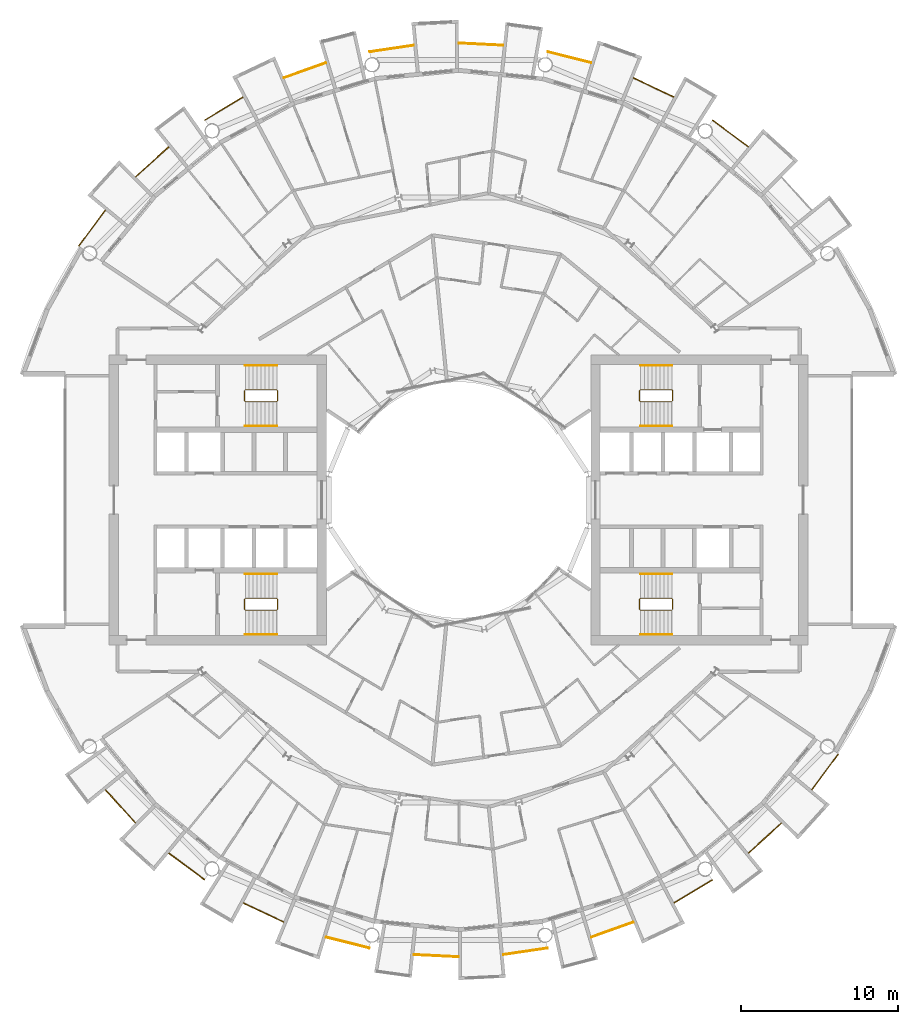
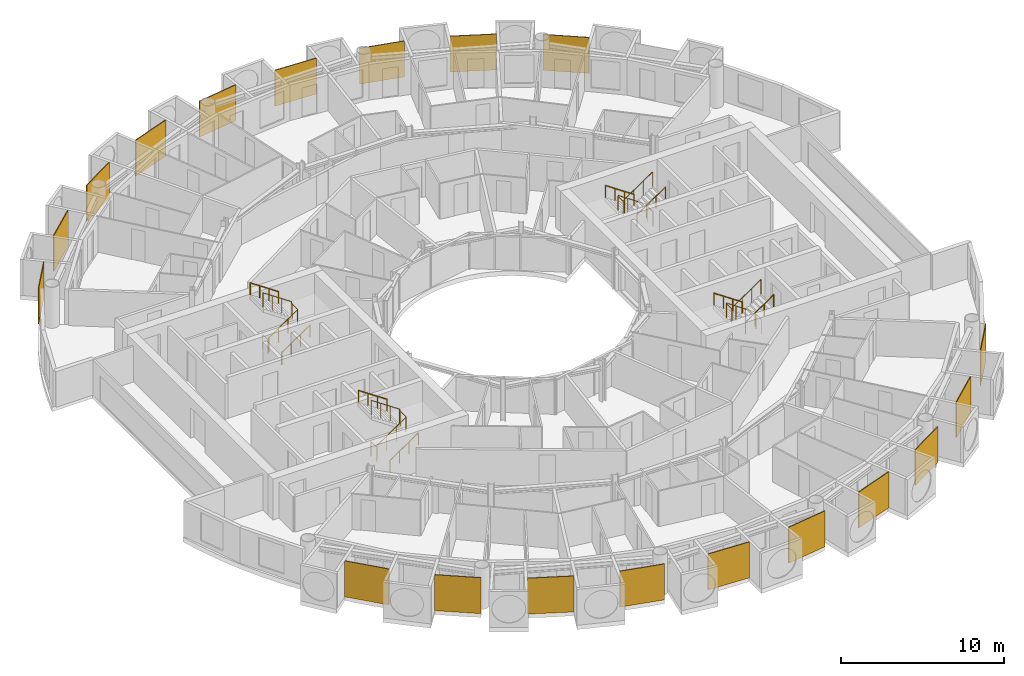
# One storey, part 26 of 27: 31 railings.
"""IFC4 building model written with IfcOpenShell, lengths in metres."""

from ifc_helpers import new_model, si_unit, direction, frame, origin, origin_2d, place, context, subcontext, project, spatial, polyline, circle, outline, extrude, material, layer, layer_set, type_object, element, save


model = new_model("IFC4")

# Units and contexts
model_context = context("Model", 3, precision=1e-05, world=origin(), true_north=direction((0.0, 1.0)))
body_context = subcontext(model_context, "Body", "Model", "MODEL_VIEW")
ifc_project = project(units=[si_unit("LENGTHUNIT", "METRE"), si_unit("AREAUNIT", "SQUARE_METRE"), si_unit("VOLUMEUNIT", "CUBIC_METRE"), si_unit("PLANEANGLEUNIT", "RADIAN"), si_unit("MASSUNIT", "GRAM", prefix="KILO")], contexts=[model_context])

# Site, building, storey
site_placement = place(None, origin())
site = spatial("IfcSite", under=ifc_project, at=site_placement, CompositionType="ELEMENT")
building_placement = place(site_placement, origin())
building = spatial("IfcBuilding", under=site, at=building_placement, Name="Maasbend Ring Residences", CompositionType="ELEMENT")
storey_placement = place(building_placement, frame((0.0, 0.0, 136.050048828125)))
storey = spatial("IfcBuildingStorey", under=building, at=storey_placement, Name="L39", CompositionType="ELEMENT", Elevation=136.050048828125)

# Railings
ifc_material_1 = material(Name="Pale anodised perforated aluminium", Category="aluminium")
ifc_layer = layer(ifc_material_1, 0.06005859375)
ifc_layer_set = layer_set([ifc_layer], Name="SCREEN-P")
railing_type_1 = type_object("IfcRailingType", Name="SCREEN-P", PredefinedType="GUARDRAIL", material=ifc_layer_set)
railing_1_placement = place(storey_placement, frame((0.0, 0.0, -0.030029296875)))
element("IfcRailing", 1, at=railing_1_placement, inside=storey, type_object=railing_type_1, Name="Perforated screen guard 2", PredefinedType="GUARDRAIL", context=body_context, shape_type="SweptSolid", body=[
    extrude(outline(polyline([(18.39697265625, 22.4169921875), (16.112060546875, 24.113037109375), (16.14697265625, 24.160888671875), (18.43310546875, 22.465087890625), (18.39697265625, 22.4169921875)])), origin(), (0.0, 0.0, 1.0), 2.679931640625),
])
railing_2_placement = place(storey_placement, frame((0.0, 0.0, -0.030029296875)))
element("IfcRailing", 2, at=railing_2_placement, inside=storey, type_object=railing_type_1, Name="Perforated screen guard 3", PredefinedType="GUARDRAIL", context=body_context, shape_type="SweptSolid", body=[
    extrude(outline(polyline([(13.6708984375, 25.575927734375), (11.097900390625, 26.79296875), (11.123046875, 26.846923828125), (13.696044921875, 25.6298828125), (13.6708984375, 25.575927734375)])), origin(), (0.0, 0.0, 1.0), 2.679931640625),
])
railing_3_placement = place(storey_placement, frame((0.0, 0.0, -0.030029296875)))
element("IfcRailing", 3, at=railing_3_placement, inside=storey, type_object=railing_type_1, Name="Perforated screen guard 4", PredefinedType="GUARDRAIL", context=body_context, shape_type="SweptSolid", body=[
    extrude(outline(polyline([(8.41796875, 27.7509765625), (5.657958984375, 28.443115234375), (5.672119140625, 28.5009765625), (8.43310546875, 27.80908203125), (8.41796875, 27.7509765625)])), origin(), (0.0, 0.0, 1.0), 2.679931640625),
])
railing_4_placement = place(storey_placement, frame((0.0, 0.0, -0.030029296875)))
element("IfcRailing", 4, at=railing_4_placement, inside=storey, type_object=railing_type_1, Name="Perforated screen guard 5", PredefinedType="GUARDRAIL", context=body_context, shape_type="SweptSolid", body=[
    extrude(outline(polyline([(2.842041015625, 28.860107421875), (0.0, 29.0), (0.0029296875, 29.06005859375), (2.844970703125, 28.919921875), (2.842041015625, 28.860107421875)])), origin(), (0.0, 0.0, 1.0), 2.679931640625),
])
railing_5_placement = place(storey_placement, frame((0.0, 0.0, -0.030029296875)))
element("IfcRailing", 5, at=railing_5_placement, inside=storey, type_object=railing_type_1, Name="Perforated screen guard 6", PredefinedType="GUARDRAIL", context=body_context, shape_type="SweptSolid", body=[
    extrude(outline(polyline([(-2.842041015625, 28.860107421875), (-5.657958984375, 28.443115234375), (-5.666015625, 28.501953125), (-2.85107421875, 28.919921875), (-2.842041015625, 28.860107421875)])), origin(), (0.0, 0.0, 1.0), 2.679931640625),
])
railing_6_placement = place(storey_placement, frame((0.0, 0.0, -0.030029296875)))
element("IfcRailing", 6, at=railing_6_placement, inside=storey, type_object=railing_type_1, Name="Perforated screen guard 7", PredefinedType="GUARDRAIL", context=body_context, shape_type="SweptSolid", body=[
    extrude(outline(polyline([(-8.41796875, 27.7509765625), (-11.097900390625, 26.79296875), (-11.117919921875, 26.84912109375), (-8.43798828125, 27.80810546875), (-8.41796875, 27.7509765625)])), origin(), (0.0, 0.0, 1.0), 2.679931640625),
])
railing_7_placement = place(storey_placement, frame((0.0, 0.0, -0.030029296875)))
element("IfcRailing", 7, at=railing_7_placement, inside=storey, type_object=railing_type_1, Name="Perforated screen guard 8", PredefinedType="GUARDRAIL", context=body_context, shape_type="SweptSolid", body=[
    extrude(outline(polyline([(-13.6708984375, 25.575927734375), (-16.112060546875, 24.113037109375), (-16.14208984375, 24.1640625), (-13.700927734375, 25.626953125), (-13.6708984375, 25.575927734375)])), origin(), (0.0, 0.0, 1.0), 2.679931640625),
])
railing_8_placement = place(storey_placement, frame((0.0, 0.0, -0.030029296875)))
element("IfcRailing", 8, at=railing_8_placement, inside=storey, type_object=railing_type_1, Name="Perforated screen guard 9", PredefinedType="GUARDRAIL", context=body_context, shape_type="SweptSolid", body=[
    extrude(outline(polyline([(-18.39697265625, 22.4169921875), (-20.506103515625, 20.506103515625), (-20.5458984375, 20.551025390625), (-18.43798828125, 22.4619140625), (-18.39697265625, 22.4169921875)])), origin(), (0.0, 0.0, 1.0), 2.679931640625),
])
railing_9_placement = place(storey_placement, frame((0.0, 0.0, -0.030029296875)))
element("IfcRailing", 9, at=railing_9_placement, inside=storey, type_object=railing_type_1, Name="Perforated screen guard 10", PredefinedType="GUARDRAIL", context=body_context, shape_type="SweptSolid", body=[
    extrude(outline(polyline([(-22.4169921875, 18.39697265625), (-24.113037109375, 16.112060546875), (-24.160888671875, 16.14697265625), (-22.465087890625, 18.43310546875), (-22.4169921875, 18.39697265625)])), origin(), (0.0, 0.0, 1.0), 2.679931640625),
])
railing_10_placement = place(storey_placement, frame((0.0, 0.0, -0.030029296875)))
element("IfcRailing", 10, at=railing_10_placement, inside=storey, type_object=railing_type_1, Name="Perforated screen guard 1", PredefinedType="GUARDRAIL", context=body_context, shape_type="SweptSolid", body=[
    extrude(outline(polyline([(-22.4169921875, -18.39697265625), (-20.506103515625, -20.506103515625), (-20.551025390625, -20.5458984375), (-22.4619140625, -18.43798828125), (-22.4169921875, -18.39697265625)])), origin(), (0.0, 0.0, 1.0), 2.679931640625),
])
railing_11_placement = place(storey_placement, frame((0.0, 0.0, -0.030029296875)))
element("IfcRailing", 11, at=railing_11_placement, inside=storey, type_object=railing_type_1, Name="Perforated screen guard 2", PredefinedType="GUARDRAIL", context=body_context, shape_type="SweptSolid", body=[
    extrude(outline(polyline([(-18.39697265625, -22.4169921875), (-16.112060546875, -24.113037109375), (-16.14697265625, -24.160888671875), (-18.43310546875, -22.465087890625), (-18.39697265625, -22.4169921875)])), origin(), (0.0, 0.0, 1.0), 2.679931640625),
])
railing_12_placement = place(storey_placement, frame((0.0, 0.0, -0.030029296875)))
element("IfcRailing", 12, at=railing_12_placement, inside=storey, type_object=railing_type_1, Name="Perforated screen guard 3", PredefinedType="GUARDRAIL", context=body_context, shape_type="SweptSolid", body=[
    extrude(outline(polyline([(-13.6708984375, -25.575927734375), (-11.097900390625, -26.79296875), (-11.123046875, -26.846923828125), (-13.696044921875, -25.6298828125), (-13.6708984375, -25.575927734375)])), origin(), (0.0, 0.0, 1.0), 2.679931640625),
])
railing_13_placement = place(storey_placement, frame((0.0, 0.0, -0.030029296875)))
element("IfcRailing", 13, at=railing_13_placement, inside=storey, type_object=railing_type_1, Name="Perforated screen guard 4", PredefinedType="GUARDRAIL", context=body_context, shape_type="SweptSolid", body=[
    extrude(outline(polyline([(-8.41796875, -27.7509765625), (-5.657958984375, -28.443115234375), (-5.672119140625, -28.5009765625), (-8.43310546875, -27.80908203125), (-8.41796875, -27.7509765625)])), origin(), (0.0, 0.0, 1.0), 2.679931640625),
])
railing_14_placement = place(storey_placement, frame((0.0, 0.0, -0.030029296875)))
element("IfcRailing", 14, at=railing_14_placement, inside=storey, type_object=railing_type_1, Name="Perforated screen guard 5", PredefinedType="GUARDRAIL", context=body_context, shape_type="SweptSolid", body=[
    extrude(outline(polyline([(-2.842041015625, -28.860107421875), (0.0, -29.0), (-0.0029296875, -29.06005859375), (-2.844970703125, -28.919921875), (-2.842041015625, -28.860107421875)])), origin(), (0.0, 0.0, 1.0), 2.679931640625),
])
railing_15_placement = place(storey_placement, frame((0.0, 0.0, -0.030029296875)))
element("IfcRailing", 15, at=railing_15_placement, inside=storey, type_object=railing_type_1, Name="Perforated screen guard 6", PredefinedType="GUARDRAIL", context=body_context, shape_type="SweptSolid", body=[
    extrude(outline(polyline([(2.842041015625, -28.860107421875), (5.657958984375, -28.443115234375), (5.666015625, -28.501953125), (2.85107421875, -28.919921875), (2.842041015625, -28.860107421875)])), origin(), (0.0, 0.0, 1.0), 2.679931640625),
])
railing_16_placement = place(storey_placement, frame((0.0, 0.0, -0.030029296875)))
element("IfcRailing", 16, at=railing_16_placement, inside=storey, type_object=railing_type_1, Name="Perforated screen guard 7", PredefinedType="GUARDRAIL", context=body_context, shape_type="SweptSolid", body=[
    extrude(outline(polyline([(8.41796875, -27.7509765625), (11.097900390625, -26.79296875), (11.117919921875, -26.84912109375), (8.43798828125, -27.80810546875), (8.41796875, -27.7509765625)])), origin(), (0.0, 0.0, 1.0), 2.679931640625),
])
railing_17_placement = place(storey_placement, frame((0.0, 0.0, -0.030029296875)))
element("IfcRailing", 17, at=railing_17_placement, inside=storey, type_object=railing_type_1, Name="Perforated screen guard 8", PredefinedType="GUARDRAIL", context=body_context, shape_type="SweptSolid", body=[
    extrude(outline(polyline([(13.6708984375, -25.575927734375), (16.112060546875, -24.113037109375), (16.14208984375, -24.1640625), (13.700927734375, -25.626953125), (13.6708984375, -25.575927734375)])), origin(), (0.0, 0.0, 1.0), 2.679931640625),
])
railing_18_placement = place(storey_placement, frame((0.0, 0.0, -0.030029296875)))
element("IfcRailing", 18, at=railing_18_placement, inside=storey, type_object=railing_type_1, Name="Perforated screen guard 9", PredefinedType="GUARDRAIL", context=body_context, shape_type="SweptSolid", body=[
    extrude(outline(polyline([(18.39697265625, -22.4169921875), (20.506103515625, -20.506103515625), (20.5458984375, -20.551025390625), (18.43798828125, -22.4619140625), (18.39697265625, -22.4169921875)])), origin(), (0.0, 0.0, 1.0), 2.679931640625),
])
railing_19_placement = place(storey_placement, frame((0.0, 0.0, -0.030029296875)))
element("IfcRailing", 19, at=railing_19_placement, inside=storey, type_object=railing_type_1, Name="Perforated screen guard 10", PredefinedType="GUARDRAIL", context=body_context, shape_type="SweptSolid", body=[
    extrude(outline(polyline([(22.4169921875, -18.39697265625), (24.113037109375, -16.112060546875), (24.160888671875, -16.14697265625), (22.465087890625, -18.43310546875), (22.4169921875, -18.39697265625)])), origin(), (0.0, 0.0, 1.0), 2.679931640625),
])
ifc_material_2 = material(Name="Stainless steel 316", Category="steel")
railing_type_2 = type_object("IfcRailingType", Name="STAIR GUARD 1100", PredefinedType="GUARDRAIL", material=ifc_material_2)
railing_20_placement = place(storey_placement, frame((13.60009765625, 6.300048828125, 0.0)))
element("IfcRailing", 20, at=railing_20_placement, inside=storey, type_object=railing_type_2, Name="L39 ST-E1 stair guard 1", PredefinedType="GUARDRAIL", context=body_context, shape_type="SweptSolid", body=[
    extrude(circle(Radius=0.02392578125, at=origin_2d()), frame((0.0, 0.0, 1.076171875), z_axis=(0.0, 1.0, 0.0), x_axis=(-1.0, 0.0, 0.0)), (0.0, 0.0, 1.0), 0.64990234375),
    extrude(circle(Radius=0.02392578125, at=origin_2d()), frame((0.0, 0.64990234375, 1.076171875), z_axis=(-0.272562526181, 0.272562526181, 0.92272386912), x_axis=(-0.707106781187, -0.707106781187, 0.0)), (0.0, 0.0, 1.0), 0.18359375),
    extrude(circle(Radius=0.02392578125, at=origin_2d()), frame((-0.050048828125, 0.699951171875, 1.24560546875), z_axis=(-0.827797584762, 0.0, 0.561026878735), x_axis=(0.0, -1.0, 0.0)), (0.0, 0.0, 1.0), 2.416015625),
    extrude(circle(Radius=0.02392578125, at=origin_2d()), frame((-2.050048828125, 0.699951171875, 2.60107421875), z_axis=(-0.707106781187, -0.707106781187, 0.0), x_axis=(0.707106781187, -0.707106781187, 0.0)), (0.0, 0.0, 1.0), 0.07080078125),
    extrude(circle(Radius=0.02392578125, at=origin_2d()), frame((-2.10009765625, 0.64990234375, 2.60107421875), z_axis=(0.0, -1.0, 0.0), x_axis=(1.0, 0.0, 0.0)), (0.0, 0.0, 1.0), 0.64990234375),
    extrude(circle(Radius=0.02392578125, at=origin_2d()), frame((-2.10009765625, 0.0, 2.60107421875), z_axis=(0.272562526181, -0.272562526181, 0.92272386912), x_axis=(0.707106781187, 0.707106781187, 0.0)), (0.0, 0.0, 1.0), 0.18359375),
    extrude(circle(Radius=0.02392578125, at=origin_2d()), frame((-2.050048828125, -0.050048828125, 2.7705078125), z_axis=(0.827750655447, 0.0, 0.561096116906), x_axis=(0.0, 1.0, 0.0)), (0.0, 0.0, 1.0), 2.416259765625),
    extrude(circle(Radius=0.02099609375, at=origin_2d()), origin(), (0.0, 0.0, 1.0), 1.052001953125),
    extrude(circle(Radius=0.02099609375, at=origin_2d()), frame((0.0, 0.64990234375, 0.0)), (0.0, 0.0, 1.0), 1.052001953125),
    extrude(circle(Radius=0.02099609375, at=origin_2d()), frame((-0.050048828125, 0.699951171875, 0.16943359375)), (0.0, 0.0, 1.0), 1.052001953125),
    extrude(circle(Radius=0.02099609375, at=origin_2d()), frame((-0.716796875, 0.699951171875, 0.621337890625)), (0.0, 0.0, 1.0), 1.052001953125),
    extrude(circle(Radius=0.02099609375, at=origin_2d()), frame((-1.38330078125, 0.699951171875, 1.072998046875)), (0.0, 0.0, 1.0), 1.052001953125),
    extrude(circle(Radius=0.02099609375, at=origin_2d()), frame((-2.050048828125, 0.699951171875, 1.52490234375)), (0.0, 0.0, 1.0), 1.052001953125),
    extrude(circle(Radius=0.02099609375, at=origin_2d()), frame((-2.10009765625, 0.64990234375, 1.52490234375)), (0.0, 0.0, 1.0), 1.052001953125),
    extrude(circle(Radius=0.02099609375, at=origin_2d()), frame((-2.10009765625, 0.0, 1.52490234375)), (0.0, 0.0, 1.0), 1.052001953125),
    extrude(circle(Radius=0.02099609375, at=origin_2d()), frame((-2.050048828125, -0.050048828125, 1.6943359375)), (0.0, 0.0, 1.0), 1.052001953125),
    extrude(circle(Radius=0.02099609375, at=origin_2d()), frame((-1.38330078125, -0.050048828125, 2.146240234375)), (0.0, 0.0, 1.0), 1.052001953125),
    extrude(circle(Radius=0.02099609375, at=origin_2d()), frame((-0.716796875, -0.050048828125, 2.59814453125)), (0.0, 0.0, 1.0), 1.052001953125),
    extrude(circle(Radius=0.02099609375, at=origin_2d()), frame((-0.050048828125, -0.050048828125, 3.050048828125)), (0.0, 0.0, 1.0), 1.052001953125),
])
railing_21_placement = place(storey_placement, frame((13.60009765625, -6.949951171875, 0.0)))
element("IfcRailing", 21, at=railing_21_placement, inside=storey, type_object=railing_type_2, Name="L39 ST-E2 stair guard 1", PredefinedType="GUARDRAIL", context=body_context, shape_type="SweptSolid", body=[
    extrude(circle(Radius=0.02392578125, at=origin_2d()), frame((0.0, 0.0, 1.076171875), z_axis=(0.0, 1.0, 0.0), x_axis=(-1.0, 0.0, 0.0)), (0.0, 0.0, 1.0), 0.64990234375),
    extrude(circle(Radius=0.02392578125, at=origin_2d()), frame((0.0, 0.64990234375, 1.076171875), z_axis=(-0.272562526181, 0.272562526181, 0.92272386912), x_axis=(-0.707106781187, -0.707106781187, 0.0)), (0.0, 0.0, 1.0), 0.18359375),
    extrude(circle(Radius=0.02392578125, at=origin_2d()), frame((-0.050048828125, 0.699951171875, 1.24560546875), z_axis=(-0.827797584762, 0.0, 0.561026878735), x_axis=(0.0, -1.0, 0.0)), (0.0, 0.0, 1.0), 2.416015625),
    extrude(circle(Radius=0.02392578125, at=origin_2d()), frame((-2.050048828125, 0.699951171875, 2.60107421875), z_axis=(-0.707106781187, -0.707106781187, 0.0), x_axis=(0.707106781187, -0.707106781187, 0.0)), (0.0, 0.0, 1.0), 0.07080078125),
    extrude(circle(Radius=0.02392578125, at=origin_2d()), frame((-2.10009765625, 0.64990234375, 2.60107421875), z_axis=(0.0, -1.0, 0.0), x_axis=(1.0, 0.0, 0.0)), (0.0, 0.0, 1.0), 0.64990234375),
    extrude(circle(Radius=0.02392578125, at=origin_2d()), frame((-2.10009765625, 0.0, 2.60107421875), z_axis=(0.272562526181, -0.272562526181, 0.92272386912), x_axis=(0.707106781187, 0.707106781187, 0.0)), (0.0, 0.0, 1.0), 0.18359375),
    extrude(circle(Radius=0.02392578125, at=origin_2d()), frame((-2.050048828125, -0.050048828125, 2.7705078125), z_axis=(0.827750655447, 0.0, 0.561096116906), x_axis=(0.0, 1.0, 0.0)), (0.0, 0.0, 1.0), 2.416259765625),
    extrude(circle(Radius=0.02099609375, at=origin_2d()), origin(), (0.0, 0.0, 1.0), 1.052001953125),
    extrude(circle(Radius=0.02099609375, at=origin_2d()), frame((0.0, 0.64990234375, 0.0)), (0.0, 0.0, 1.0), 1.052001953125),
    extrude(circle(Radius=0.02099609375, at=origin_2d()), frame((-0.050048828125, 0.699951171875, 0.16943359375)), (0.0, 0.0, 1.0), 1.052001953125),
    extrude(circle(Radius=0.02099609375, at=origin_2d()), frame((-0.716796875, 0.699951171875, 0.621337890625)), (0.0, 0.0, 1.0), 1.052001953125),
    extrude(circle(Radius=0.02099609375, at=origin_2d()), frame((-1.38330078125, 0.699951171875, 1.072998046875)), (0.0, 0.0, 1.0), 1.052001953125),
    extrude(circle(Radius=0.02099609375, at=origin_2d()), frame((-2.050048828125, 0.699951171875, 1.52490234375)), (0.0, 0.0, 1.0), 1.052001953125),
    extrude(circle(Radius=0.02099609375, at=origin_2d()), frame((-2.10009765625, 0.64990234375, 1.52490234375)), (0.0, 0.0, 1.0), 1.052001953125),
    extrude(circle(Radius=0.02099609375, at=origin_2d()), frame((-2.10009765625, 0.0, 1.52490234375)), (0.0, 0.0, 1.0), 1.052001953125),
    extrude(circle(Radius=0.02099609375, at=origin_2d()), frame((-2.050048828125, -0.050048828125, 1.6943359375)), (0.0, 0.0, 1.0), 1.052001953125),
    extrude(circle(Radius=0.02099609375, at=origin_2d()), frame((-1.38330078125, -0.050048828125, 2.146240234375)), (0.0, 0.0, 1.0), 1.052001953125),
    extrude(circle(Radius=0.02099609375, at=origin_2d()), frame((-0.716796875, -0.050048828125, 2.59814453125)), (0.0, 0.0, 1.0), 1.052001953125),
    extrude(circle(Radius=0.02099609375, at=origin_2d()), frame((-0.050048828125, -0.050048828125, 3.050048828125)), (0.0, 0.0, 1.0), 1.052001953125),
])
railing_22_placement = place(storey_placement, frame((-13.60009765625, -6.300048828125, 0.0)))
element("IfcRailing", 22, at=railing_22_placement, inside=storey, type_object=railing_type_2, Name="L39 ST-W1 stair guard 1", PredefinedType="GUARDRAIL", context=body_context, shape_type="SweptSolid", body=[
    extrude(circle(Radius=0.02392578125, at=origin_2d()), frame((0.0, 0.0, 1.076171875), z_axis=(0.0, -1.0, 0.0), x_axis=(1.0, 0.0, 0.0)), (0.0, 0.0, 1.0), 0.64990234375),
    extrude(circle(Radius=0.02392578125, at=origin_2d()), frame((0.0, -0.64990234375, 1.076171875), z_axis=(0.272562526181, -0.272562526181, 0.92272386912), x_axis=(0.707106781187, 0.707106781187, 0.0)), (0.0, 0.0, 1.0), 0.18359375),
    extrude(circle(Radius=0.02392578125, at=origin_2d()), frame((0.050048828125, -0.699951171875, 1.24560546875), z_axis=(0.827797584762, 0.0, 0.561026878735), x_axis=(0.0, 1.0, 0.0)), (0.0, 0.0, 1.0), 2.416015625),
    extrude(circle(Radius=0.02392578125, at=origin_2d()), frame((2.050048828125, -0.699951171875, 2.60107421875), z_axis=(0.707106781187, 0.707106781187, 0.0), x_axis=(-0.707106781187, 0.707106781187, 0.0)), (0.0, 0.0, 1.0), 0.07080078125),
    extrude(circle(Radius=0.02392578125, at=origin_2d()), frame((2.10009765625, -0.64990234375, 2.60107421875), z_axis=(0.0, 1.0, 0.0), x_axis=(-1.0, 0.0, 0.0)), (0.0, 0.0, 1.0), 0.64990234375),
    extrude(circle(Radius=0.02392578125, at=origin_2d()), frame((2.10009765625, 0.0, 2.60107421875), z_axis=(-0.272562526181, 0.272562526181, 0.92272386912), x_axis=(-0.707106781187, -0.707106781187, 0.0)), (0.0, 0.0, 1.0), 0.18359375),
    extrude(circle(Radius=0.02392578125, at=origin_2d()), frame((2.050048828125, 0.050048828125, 2.7705078125), z_axis=(-0.827750655447, 0.0, 0.561096116906), x_axis=(0.0, -1.0, 0.0)), (0.0, 0.0, 1.0), 2.416259765625),
    extrude(circle(Radius=0.02099609375, at=origin_2d()), origin(), (0.0, 0.0, 1.0), 1.052001953125),
    extrude(circle(Radius=0.02099609375, at=origin_2d()), frame((0.0, -0.64990234375, 0.0)), (0.0, 0.0, 1.0), 1.052001953125),
    extrude(circle(Radius=0.02099609375, at=origin_2d()), frame((0.050048828125, -0.699951171875, 0.16943359375)), (0.0, 0.0, 1.0), 1.052001953125),
    extrude(circle(Radius=0.02099609375, at=origin_2d()), frame((0.716796875, -0.699951171875, 0.621337890625)), (0.0, 0.0, 1.0), 1.052001953125),
    extrude(circle(Radius=0.02099609375, at=origin_2d()), frame((1.38330078125, -0.699951171875, 1.072998046875)), (0.0, 0.0, 1.0), 1.052001953125),
    extrude(circle(Radius=0.02099609375, at=origin_2d()), frame((2.050048828125, -0.699951171875, 1.52490234375)), (0.0, 0.0, 1.0), 1.052001953125),
    extrude(circle(Radius=0.02099609375, at=origin_2d()), frame((2.10009765625, -0.64990234375, 1.52490234375)), (0.0, 0.0, 1.0), 1.052001953125),
    extrude(circle(Radius=0.02099609375, at=origin_2d()), frame((2.10009765625, 0.0, 1.52490234375)), (0.0, 0.0, 1.0), 1.052001953125),
    extrude(circle(Radius=0.02099609375, at=origin_2d()), frame((2.050048828125, 0.050048828125, 1.6943359375)), (0.0, 0.0, 1.0), 1.052001953125),
    extrude(circle(Radius=0.02099609375, at=origin_2d()), frame((1.38330078125, 0.050048828125, 2.146240234375)), (0.0, 0.0, 1.0), 1.052001953125),
    extrude(circle(Radius=0.02099609375, at=origin_2d()), frame((0.716796875, 0.050048828125, 2.59814453125)), (0.0, 0.0, 1.0), 1.052001953125),
    extrude(circle(Radius=0.02099609375, at=origin_2d()), frame((0.050048828125, 0.050048828125, 3.050048828125)), (0.0, 0.0, 1.0), 1.052001953125),
])
railing_23_placement = place(storey_placement, frame((-13.60009765625, 6.949951171875, 0.0)))
element("IfcRailing", 23, at=railing_23_placement, inside=storey, type_object=railing_type_2, Name="L39 ST-W2 stair guard 1", PredefinedType="GUARDRAIL", context=body_context, shape_type="SweptSolid", body=[
    extrude(circle(Radius=0.02392578125, at=origin_2d()), frame((0.0, 0.0, 1.076171875), z_axis=(0.0, -1.0, 0.0), x_axis=(1.0, 0.0, 0.0)), (0.0, 0.0, 1.0), 0.64990234375),
    extrude(circle(Radius=0.02392578125, at=origin_2d()), frame((0.0, -0.64990234375, 1.076171875), z_axis=(0.272562526181, -0.272562526181, 0.92272386912), x_axis=(0.707106781187, 0.707106781187, 0.0)), (0.0, 0.0, 1.0), 0.18359375),
    extrude(circle(Radius=0.02392578125, at=origin_2d()), frame((0.050048828125, -0.699951171875, 1.24560546875), z_axis=(0.827797584762, 0.0, 0.561026878735), x_axis=(0.0, 1.0, 0.0)), (0.0, 0.0, 1.0), 2.416015625),
    extrude(circle(Radius=0.02392578125, at=origin_2d()), frame((2.050048828125, -0.699951171875, 2.60107421875), z_axis=(0.707106781187, 0.707106781187, 0.0), x_axis=(-0.707106781187, 0.707106781187, 0.0)), (0.0, 0.0, 1.0), 0.07080078125),
    extrude(circle(Radius=0.02392578125, at=origin_2d()), frame((2.10009765625, -0.64990234375, 2.60107421875), z_axis=(0.0, 1.0, 0.0), x_axis=(-1.0, 0.0, 0.0)), (0.0, 0.0, 1.0), 0.64990234375),
    extrude(circle(Radius=0.02392578125, at=origin_2d()), frame((2.10009765625, 0.0, 2.60107421875), z_axis=(-0.272562526181, 0.272562526181, 0.92272386912), x_axis=(-0.707106781187, -0.707106781187, 0.0)), (0.0, 0.0, 1.0), 0.18359375),
    extrude(circle(Radius=0.02392578125, at=origin_2d()), frame((2.050048828125, 0.050048828125, 2.7705078125), z_axis=(-0.827750655447, 0.0, 0.561096116906), x_axis=(0.0, -1.0, 0.0)), (0.0, 0.0, 1.0), 2.416259765625),
    extrude(circle(Radius=0.02099609375, at=origin_2d()), origin(), (0.0, 0.0, 1.0), 1.052001953125),
    extrude(circle(Radius=0.02099609375, at=origin_2d()), frame((0.0, -0.64990234375, 0.0)), (0.0, 0.0, 1.0), 1.052001953125),
    extrude(circle(Radius=0.02099609375, at=origin_2d()), frame((0.050048828125, -0.699951171875, 0.16943359375)), (0.0, 0.0, 1.0), 1.052001953125),
    extrude(circle(Radius=0.02099609375, at=origin_2d()), frame((0.716796875, -0.699951171875, 0.621337890625)), (0.0, 0.0, 1.0), 1.052001953125),
    extrude(circle(Radius=0.02099609375, at=origin_2d()), frame((1.38330078125, -0.699951171875, 1.072998046875)), (0.0, 0.0, 1.0), 1.052001953125),
    extrude(circle(Radius=0.02099609375, at=origin_2d()), frame((2.050048828125, -0.699951171875, 1.52490234375)), (0.0, 0.0, 1.0), 1.052001953125),
    extrude(circle(Radius=0.02099609375, at=origin_2d()), frame((2.10009765625, -0.64990234375, 1.52490234375)), (0.0, 0.0, 1.0), 1.052001953125),
    extrude(circle(Radius=0.02099609375, at=origin_2d()), frame((2.10009765625, 0.0, 1.52490234375)), (0.0, 0.0, 1.0), 1.052001953125),
    extrude(circle(Radius=0.02099609375, at=origin_2d()), frame((2.050048828125, 0.050048828125, 1.6943359375)), (0.0, 0.0, 1.0), 1.052001953125),
    extrude(circle(Radius=0.02099609375, at=origin_2d()), frame((1.38330078125, 0.050048828125, 2.146240234375)), (0.0, 0.0, 1.0), 1.052001953125),
    extrude(circle(Radius=0.02099609375, at=origin_2d()), frame((0.716796875, 0.050048828125, 2.59814453125)), (0.0, 0.0, 1.0), 1.052001953125),
    extrude(circle(Radius=0.02099609375, at=origin_2d()), frame((0.050048828125, 0.050048828125, 3.050048828125)), (0.0, 0.0, 1.0), 1.052001953125),
])
ifc_material_3 = material(Name="Stainless steel 316", Category="steel")
railing_type_3 = type_object("IfcRailingType", Name="STAIR HANDRAIL 900", PredefinedType="HANDRAIL", material=ifc_material_3)
railing_24_placement = place(storey_placement, frame((13.550048828125, 8.550048828125, 0.16943359375)))
element("IfcRailing", 24, at=railing_24_placement, inside=storey, type_object=railing_type_3, Name="L39 ST-E1 stair handrail 1", PredefinedType="HANDRAIL", context=body_context, shape_type="SweptSolid", body=[
    extrude(circle(Radius=0.02392578125, at=origin_2d()), frame((0.0, 0.0, 0.8759765625), z_axis=(-0.827797584762, 0.0, 0.561026878735), x_axis=(0.0, -1.0, 0.0)), (0.0, 0.0, 1.0), 2.416015625),
    extrude(circle(Radius=0.02099609375, at=origin_2d()), origin(), (0.0, 0.0, 1.0), 0.851806640625),
    extrude(circle(Radius=0.02099609375, at=origin_2d()), frame((-0.666748046875, 0.0, 0.451904296875)), (0.0, 0.0, 1.0), 0.851806640625),
    extrude(circle(Radius=0.02099609375, at=origin_2d()), frame((-1.333251953125, 0.0, 0.903564453125)), (0.0, 0.0, 1.0), 0.851806640625),
    extrude(circle(Radius=0.02099609375, at=origin_2d()), frame((-2.0, 0.0, 1.35546875)), (0.0, 0.0, 1.0), 0.851806640625),
])
railing_25_placement = place(storey_placement, frame((11.550048828125, 4.699951171875, 1.6943359375)))
element("IfcRailing", 25, at=railing_25_placement, inside=storey, type_object=railing_type_3, Name="L39 ST-E1 stair handrail 2", PredefinedType="HANDRAIL", context=body_context, shape_type="SweptSolid", body=[
    extrude(circle(Radius=0.02392578125, at=origin_2d()), frame((0.0, 0.0, 0.8759765625), z_axis=(0.827750655447, 0.0, 0.561096116906), x_axis=(0.0, 1.0, 0.0)), (0.0, 0.0, 1.0), 2.416259765625),
    extrude(circle(Radius=0.02099609375, at=origin_2d()), origin(), (0.0, 0.0, 1.0), 0.851806640625),
    extrude(circle(Radius=0.02099609375, at=origin_2d()), frame((0.666748046875, 0.0, 0.451904296875)), (0.0, 0.0, 1.0), 0.851806640625),
    extrude(circle(Radius=0.02099609375, at=origin_2d()), frame((1.333251953125, 0.0, 0.90380859375)), (0.0, 0.0, 1.0), 0.851806640625),
    extrude(circle(Radius=0.02099609375, at=origin_2d()), frame((2.0, 0.0, 1.355712890625)), (0.0, 0.0, 1.0), 0.851806640625),
])
railing_26_placement = place(storey_placement, frame((13.550048828125, -4.699951171875, 0.16943359375)))
element("IfcRailing", 26, at=railing_26_placement, inside=storey, type_object=railing_type_3, Name="L39 ST-E2 stair handrail 1", PredefinedType="HANDRAIL", context=body_context, shape_type="SweptSolid", body=[
    extrude(circle(Radius=0.02392578125, at=origin_2d()), frame((0.0, 0.0, 0.8759765625), z_axis=(-0.827797584762, 0.0, 0.561026878735), x_axis=(0.0, -1.0, 0.0)), (0.0, 0.0, 1.0), 2.416015625),
    extrude(circle(Radius=0.02099609375, at=origin_2d()), origin(), (0.0, 0.0, 1.0), 0.851806640625),
    extrude(circle(Radius=0.02099609375, at=origin_2d()), frame((-0.666748046875, 0.0, 0.451904296875)), (0.0, 0.0, 1.0), 0.851806640625),
    extrude(circle(Radius=0.02099609375, at=origin_2d()), frame((-1.333251953125, 0.0, 0.903564453125)), (0.0, 0.0, 1.0), 0.851806640625),
    extrude(circle(Radius=0.02099609375, at=origin_2d()), frame((-2.0, 0.0, 1.35546875)), (0.0, 0.0, 1.0), 0.851806640625),
])
railing_27_placement = place(storey_placement, frame((11.550048828125, -8.550048828125, 1.6943359375)))
element("IfcRailing", 27, at=railing_27_placement, inside=storey, type_object=railing_type_3, Name="L39 ST-E2 stair handrail 2", PredefinedType="HANDRAIL", context=body_context, shape_type="SweptSolid", body=[
    extrude(circle(Radius=0.02392578125, at=origin_2d()), frame((0.0, 0.0, 0.8759765625), z_axis=(0.827750655447, 0.0, 0.561096116906), x_axis=(0.0, 1.0, 0.0)), (0.0, 0.0, 1.0), 2.416259765625),
    extrude(circle(Radius=0.02099609375, at=origin_2d()), origin(), (0.0, 0.0, 1.0), 0.851806640625),
    extrude(circle(Radius=0.02099609375, at=origin_2d()), frame((0.666748046875, 0.0, 0.451904296875)), (0.0, 0.0, 1.0), 0.851806640625),
    extrude(circle(Radius=0.02099609375, at=origin_2d()), frame((1.333251953125, 0.0, 0.90380859375)), (0.0, 0.0, 1.0), 0.851806640625),
    extrude(circle(Radius=0.02099609375, at=origin_2d()), frame((2.0, 0.0, 1.355712890625)), (0.0, 0.0, 1.0), 0.851806640625),
])
railing_28_placement = place(storey_placement, frame((-13.550048828125, -8.550048828125, 0.16943359375)))
element("IfcRailing", 28, at=railing_28_placement, inside=storey, type_object=railing_type_3, Name="L39 ST-W1 stair handrail 1", PredefinedType="HANDRAIL", context=body_context, shape_type="SweptSolid", body=[
    extrude(circle(Radius=0.02392578125, at=origin_2d()), frame((0.0, 0.0, 0.8759765625), z_axis=(0.827797584762, 0.0, 0.561026878735), x_axis=(0.0, 1.0, 0.0)), (0.0, 0.0, 1.0), 2.416015625),
    extrude(circle(Radius=0.02099609375, at=origin_2d()), origin(), (0.0, 0.0, 1.0), 0.851806640625),
    extrude(circle(Radius=0.02099609375, at=origin_2d()), frame((0.666748046875, 0.0, 0.451904296875)), (0.0, 0.0, 1.0), 0.851806640625),
    extrude(circle(Radius=0.02099609375, at=origin_2d()), frame((1.333251953125, 0.0, 0.903564453125)), (0.0, 0.0, 1.0), 0.851806640625),
    extrude(circle(Radius=0.02099609375, at=origin_2d()), frame((2.0, 0.0, 1.35546875)), (0.0, 0.0, 1.0), 0.851806640625),
])
railing_29_placement = place(storey_placement, frame((-11.550048828125, -4.699951171875, 1.6943359375)))
element("IfcRailing", 29, at=railing_29_placement, inside=storey, type_object=railing_type_3, Name="L39 ST-W1 stair handrail 2", PredefinedType="HANDRAIL", context=body_context, shape_type="SweptSolid", body=[
    extrude(circle(Radius=0.02392578125, at=origin_2d()), frame((0.0, 0.0, 0.8759765625), z_axis=(-0.827750655447, 0.0, 0.561096116906), x_axis=(0.0, -1.0, 0.0)), (0.0, 0.0, 1.0), 2.416259765625),
    extrude(circle(Radius=0.02099609375, at=origin_2d()), origin(), (0.0, 0.0, 1.0), 0.851806640625),
    extrude(circle(Radius=0.02099609375, at=origin_2d()), frame((-0.666748046875, 0.0, 0.451904296875)), (0.0, 0.0, 1.0), 0.851806640625),
    extrude(circle(Radius=0.02099609375, at=origin_2d()), frame((-1.333251953125, 0.0, 0.90380859375)), (0.0, 0.0, 1.0), 0.851806640625),
    extrude(circle(Radius=0.02099609375, at=origin_2d()), frame((-2.0, 0.0, 1.355712890625)), (0.0, 0.0, 1.0), 0.851806640625),
])
railing_30_placement = place(storey_placement, frame((-13.550048828125, 4.699951171875, 0.16943359375)))
element("IfcRailing", 30, at=railing_30_placement, inside=storey, type_object=railing_type_3, Name="L39 ST-W2 stair handrail 1", PredefinedType="HANDRAIL", context=body_context, shape_type="SweptSolid", body=[
    extrude(circle(Radius=0.02392578125, at=origin_2d()), frame((0.0, 0.0, 0.8759765625), z_axis=(0.827797584762, 0.0, 0.561026878735), x_axis=(0.0, 1.0, 0.0)), (0.0, 0.0, 1.0), 2.416015625),
    extrude(circle(Radius=0.02099609375, at=origin_2d()), origin(), (0.0, 0.0, 1.0), 0.851806640625),
    extrude(circle(Radius=0.02099609375, at=origin_2d()), frame((0.666748046875, 0.0, 0.451904296875)), (0.0, 0.0, 1.0), 0.851806640625),
    extrude(circle(Radius=0.02099609375, at=origin_2d()), frame((1.333251953125, 0.0, 0.903564453125)), (0.0, 0.0, 1.0), 0.851806640625),
    extrude(circle(Radius=0.02099609375, at=origin_2d()), frame((2.0, 0.0, 1.35546875)), (0.0, 0.0, 1.0), 0.851806640625),
])
railing_31_placement = place(storey_placement, frame((-11.550048828125, 8.550048828125, 1.6943359375)))
element("IfcRailing", 31, at=railing_31_placement, inside=storey, type_object=railing_type_3, Name="L39 ST-W2 stair handrail 2", PredefinedType="HANDRAIL", context=body_context, shape_type="SweptSolid", body=[
    extrude(circle(Radius=0.02392578125, at=origin_2d()), frame((0.0, 0.0, 0.8759765625), z_axis=(-0.827750655447, 0.0, 0.561096116906), x_axis=(0.0, -1.0, 0.0)), (0.0, 0.0, 1.0), 2.416259765625),
    extrude(circle(Radius=0.02099609375, at=origin_2d()), origin(), (0.0, 0.0, 1.0), 0.851806640625),
    extrude(circle(Radius=0.02099609375, at=origin_2d()), frame((-0.666748046875, 0.0, 0.451904296875)), (0.0, 0.0, 1.0), 0.851806640625),
    extrude(circle(Radius=0.02099609375, at=origin_2d()), frame((-1.333251953125, 0.0, 0.90380859375)), (0.0, 0.0, 1.0), 0.851806640625),
    extrude(circle(Radius=0.02099609375, at=origin_2d()), frame((-2.0, 0.0, 1.355712890625)), (0.0, 0.0, 1.0), 0.851806640625),
])

save(model, "model.ifc")
